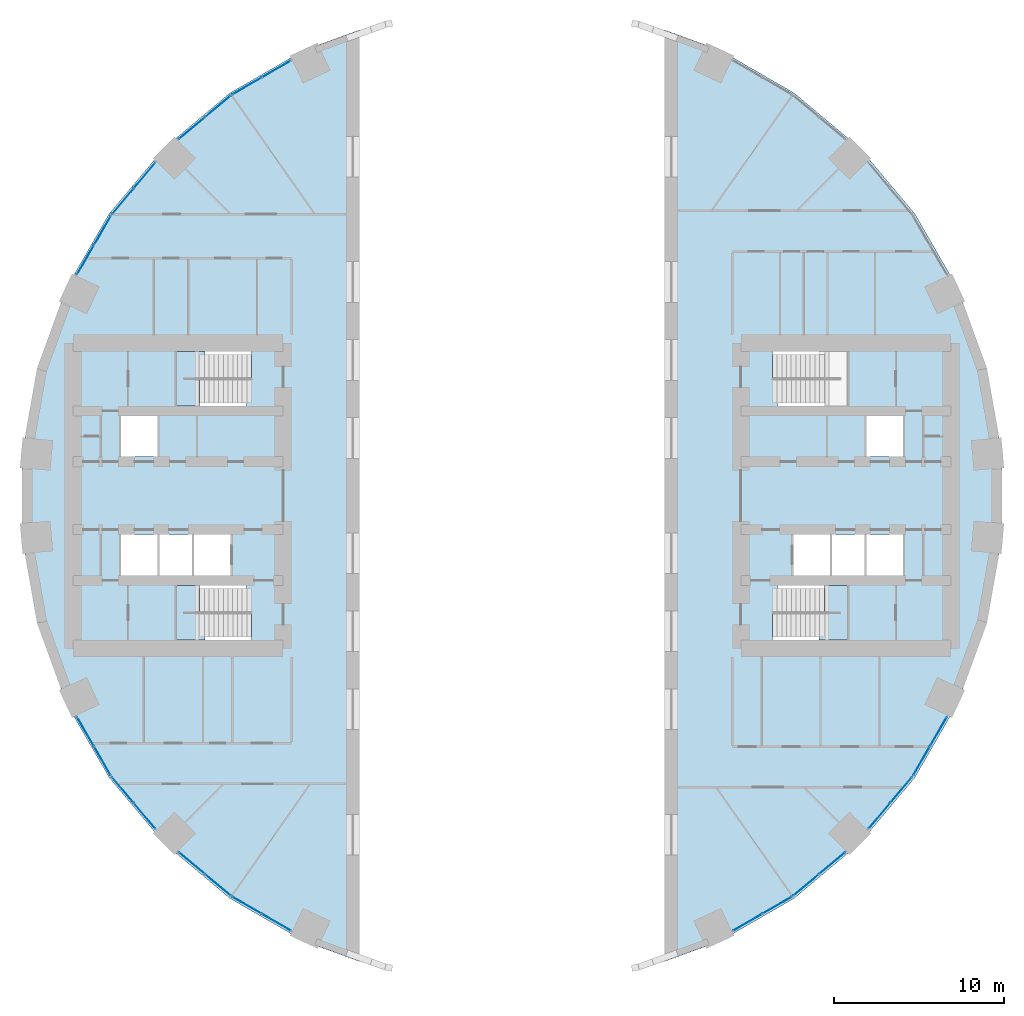
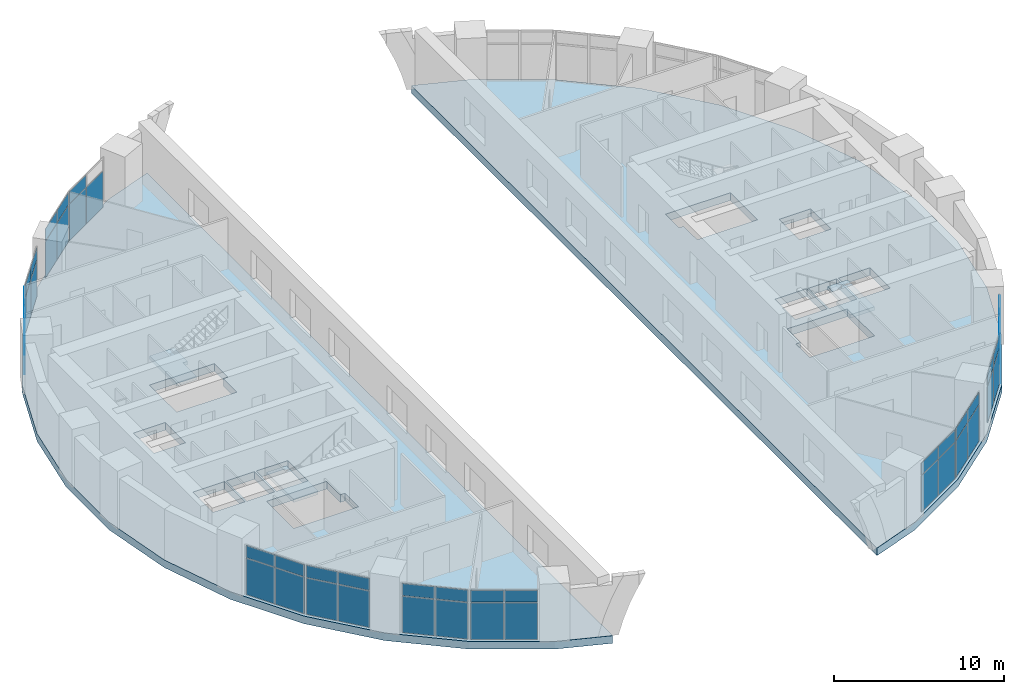
# One storey, part 6 of 13: 47 plates, 5 slabs, 15 elements without a shape of their own.
"""IFC4 building model written with IfcOpenShell, lengths in metres."""

from ifc_helpers import new_model, si_unit, direction, frame, origin, origin_2d, place, context, subcontext, project, spatial, polyline, rectangle, outline, extrude, material, layer, layer_set, type_object, element, aggregate, save


model = new_model("IFC4")

# Units and contexts
model_context = context("Model", 3, precision=1e-05, world=origin(), true_north=direction((0.0, 1.0)))
body_context = subcontext(model_context, "Body", "Model", "MODEL_VIEW")
ifc_project = project(units=[si_unit("LENGTHUNIT", "METRE"), si_unit("AREAUNIT", "SQUARE_METRE"), si_unit("VOLUMEUNIT", "CUBIC_METRE"), si_unit("PLANEANGLEUNIT", "RADIAN"), si_unit("MASSUNIT", "GRAM", prefix="KILO")], contexts=[model_context])

# Site, building, storey
site_placement = place(None, origin())
site = spatial("IfcSite", under=ifc_project, at=site_placement, CompositionType="ELEMENT")
building_placement = place(site_placement, origin())
building = spatial("IfcBuilding", under=site, at=building_placement, Name="Saqina Gate Tower", CompositionType="ELEMENT")
storey_placement = place(building_placement, frame((0.0, 0.0, 9.199951171875)))
storey = spatial("IfcBuildingStorey", under=building, at=storey_placement, Name="L02", CompositionType="ELEMENT", Elevation=9.199951171875)

# Curtain wall, plates
ifc_material_1 = material(Name="Aluminium glazing", Category="aluminium")
ifc_layer_1 = layer(ifc_material_1, 0.159912109375)
ifc_layer_set_1 = layer_set([ifc_layer_1], Name="CWT-1")
curtain_wall_type = type_object("IfcCurtainWallType", Name="CWT-1", PredefinedType="NOTDEFINED", material=ifc_layer_set_1)
curtain_wall_1_placement = place(storey_placement, origin())
curtain_wall_1 = element("IfcCurtainWall", 1, at=curtain_wall_1_placement, inside=storey, type_object=curtain_wall_type, Name="Podium shopfront facet 12", PredefinedType="NOTDEFINED")
ifc_material_2 = material(Name="Glass", Category="glass")
ifc_layer_2 = layer(ifc_material_2, 0.028076171875)
ifc_layer_set_2 = layer_set([ifc_layer_2], Name="CWT-1P")
plate_type = type_object("IfcPlateType", Name="CWT-1P", PredefinedType="CURTAIN_PANEL", material=ifc_layer_set_2)
plate_1_placement = place(storey_placement, frame((-13.90283203125, 25.158935546875, 0.06005859375), z_axis=(0.0, 0.0, 1.0), x_axis=(-0.866017381415, -0.500013894893, 0.0)))
plate_1 = element("IfcPlate", 2, at=plate_1_placement, type_object=plate_type, Name="CW1-12 panel 1.1", PredefinedType="CURTAIN_PANEL", context=body_context, shape_type="SweptSolid", body=[
    extrude(rectangle(XDim=1.944580078125, YDim=0.028076171875, at=origin_2d()), origin(), (0.0, 0.0, 1.0), 2.610107421875),
])
plate_2_placement = place(storey_placement, frame((-15.638671875, 24.15673828125, 0.06005859375), z_axis=(0.0, 0.0, 1.0), x_axis=(-0.866017381415, -0.500013894893, 0.0)))
plate_2 = element("IfcPlate", 3, at=plate_2_placement, type_object=plate_type, Name="CW1-12 panel 2.1", PredefinedType="CURTAIN_PANEL", context=body_context, shape_type="SweptSolid", body=[
    extrude(rectangle(XDim=1.944580078125, YDim=0.028076171875, at=origin_2d()), origin(), (0.0, 0.0, 1.0), 2.610107421875),
])
plate_3_placement = place(storey_placement, frame((-15.638671875, 24.15673828125, 2.72998046875), z_axis=(0.0, 0.0, 1.0), x_axis=(-0.866017381415, -0.500013894893, 0.0)))
plate_3 = element("IfcPlate", 4, at=plate_3_placement, type_object=plate_type, Name="CW1-12 panel 2.2", PredefinedType="CURTAIN_PANEL", context=body_context, shape_type="SweptSolid", body=[
    extrude(rectangle(XDim=1.944580078125, YDim=0.028076171875, at=origin_2d()), origin(), (0.0, 0.0, 1.0), 0.860107421875),
])
aggregate(curtain_wall_1, [plate_1, plate_2, plate_3])

curtain_wall_2_placement = place(storey_placement, origin())
curtain_wall_2 = element("IfcCurtainWall", 5, at=curtain_wall_2_placement, inside=storey, type_object=curtain_wall_type, Name="Podium shopfront facet 13", PredefinedType="NOTDEFINED")
plate_4_placement = place(storey_placement, frame((-17.35107421875, 22.957763671875, 0.06005859375), z_axis=(0.0, 0.0, 1.0), x_axis=(-0.766051396473, -0.642779322911, 0.0)))
plate_4 = element("IfcPlate", 6, at=plate_4_placement, type_object=plate_type, Name="CW1-13 panel 1.1", PredefinedType="CURTAIN_PANEL", context=body_context, shape_type="SweptSolid", body=[
    extrude(rectangle(XDim=1.944580078125, YDim=0.028076171875, at=origin_2d()), origin(), (0.0, 0.0, 1.0), 2.610107421875),
])
plate_5_placement = place(storey_placement, frame((-17.35107421875, 22.957763671875, 2.72998046875), z_axis=(0.0, 0.0, 1.0), x_axis=(-0.766051396473, -0.642779322911, 0.0)))
plate_5 = element("IfcPlate", 7, at=plate_5_placement, type_object=plate_type, Name="CW1-13 panel 1.2", PredefinedType="CURTAIN_PANEL", context=body_context, shape_type="SweptSolid", body=[
    extrude(rectangle(XDim=1.944580078125, YDim=0.028076171875, at=origin_2d()), origin(), (0.0, 0.0, 1.0), 0.860107421875),
])
plate_6_placement = place(storey_placement, frame((-18.88671875, 21.669189453125, 0.06005859375), z_axis=(0.0, 0.0, 1.0), x_axis=(-0.766051396473, -0.642779322911, 0.0)))
plate_6 = element("IfcPlate", 8, at=plate_6_placement, type_object=plate_type, Name="CW1-13 panel 2.1", PredefinedType="CURTAIN_PANEL", context=body_context, shape_type="SweptSolid", body=[
    extrude(rectangle(XDim=1.944580078125, YDim=0.028076171875, at=origin_2d()), origin(), (0.0, 0.0, 1.0), 2.610107421875),
])
plate_7_placement = place(storey_placement, frame((-18.88671875, 21.669189453125, 2.72998046875), z_axis=(0.0, 0.0, 1.0), x_axis=(-0.766051396473, -0.642779322911, 0.0)))
plate_7 = element("IfcPlate", 9, at=plate_7_placement, type_object=plate_type, Name="CW1-13 panel 2.2", PredefinedType="CURTAIN_PANEL", context=body_context, shape_type="SweptSolid", body=[
    extrude(rectangle(XDim=1.944580078125, YDim=0.028076171875, at=origin_2d()), origin(), (0.0, 0.0, 1.0), 0.860107421875),
])
aggregate(curtain_wall_2, [plate_4, plate_5, plate_6, plate_7])

curtain_wall_3_placement = place(storey_placement, origin())
curtain_wall_3 = element("IfcCurtainWall", 10, at=curtain_wall_3_placement, inside=storey, type_object=curtain_wall_type, Name="Podium shopfront facet 14", PredefinedType="NOTDEFINED")
plate_8_placement = place(storey_placement, frame((-21.669189453125, 18.88671875, 0.06005859375), z_axis=(0.0, 0.0, 1.0), x_axis=(-0.642779322911, -0.766051396473, 0.0)))
plate_8 = element("IfcPlate", 11, at=plate_8_placement, type_object=plate_type, Name="CW1-14 panel 1.1", PredefinedType="CURTAIN_PANEL", context=body_context, shape_type="SweptSolid", body=[
    extrude(rectangle(XDim=1.944580078125, YDim=0.028076171875, at=origin_2d()), origin(), (0.0, 0.0, 1.0), 2.610107421875),
])
plate_9_placement = place(storey_placement, frame((-21.669189453125, 18.88671875, 2.72998046875), z_axis=(0.0, 0.0, 1.0), x_axis=(-0.642779322911, -0.766051396473, 0.0)))
plate_9 = element("IfcPlate", 12, at=plate_9_placement, type_object=plate_type, Name="CW1-14 panel 1.2", PredefinedType="CURTAIN_PANEL", context=body_context, shape_type="SweptSolid", body=[
    extrude(rectangle(XDim=1.944580078125, YDim=0.028076171875, at=origin_2d()), origin(), (0.0, 0.0, 1.0), 0.860107421875),
])
plate_10_placement = place(storey_placement, frame((-22.957763671875, 17.35107421875, 0.06005859375), z_axis=(0.0, 0.0, 1.0), x_axis=(-0.642779322911, -0.766051396473, 0.0)))
plate_10 = element("IfcPlate", 13, at=plate_10_placement, type_object=plate_type, Name="CW1-14 panel 2.1", PredefinedType="CURTAIN_PANEL", context=body_context, shape_type="SweptSolid", body=[
    extrude(rectangle(XDim=1.944580078125, YDim=0.028076171875, at=origin_2d()), origin(), (0.0, 0.0, 1.0), 2.610107421875),
])
plate_11_placement = place(storey_placement, frame((-22.957763671875, 17.35107421875, 2.72998046875), z_axis=(0.0, 0.0, 1.0), x_axis=(-0.642779322911, -0.766051396473, 0.0)))
plate_11 = element("IfcPlate", 14, at=plate_11_placement, type_object=plate_type, Name="CW1-14 panel 2.2", PredefinedType="CURTAIN_PANEL", context=body_context, shape_type="SweptSolid", body=[
    extrude(rectangle(XDim=1.944580078125, YDim=0.028076171875, at=origin_2d()), origin(), (0.0, 0.0, 1.0), 0.860107421875),
])
aggregate(curtain_wall_3, [plate_8, plate_9, plate_10, plate_11])

curtain_wall_4_placement = place(storey_placement, origin())
curtain_wall_4 = element("IfcCurtainWall", 15, at=curtain_wall_4_placement, inside=storey, type_object=curtain_wall_type, Name="Podium shopfront facet 15", PredefinedType="NOTDEFINED")
plate_12_placement = place(storey_placement, frame((-24.15673828125, 15.638671875, 0.06005859375), z_axis=(0.0, 0.0, 1.0), x_axis=(-0.500013894893, -0.866017381415, 0.0)))
plate_12 = element("IfcPlate", 16, at=plate_12_placement, type_object=plate_type, Name="CW1-15 panel 1.1", PredefinedType="CURTAIN_PANEL", context=body_context, shape_type="SweptSolid", body=[
    extrude(rectangle(XDim=1.944580078125, YDim=0.028076171875, at=origin_2d()), origin(), (0.0, 0.0, 1.0), 2.610107421875),
])
plate_13_placement = place(storey_placement, frame((-24.15673828125, 15.638671875, 2.72998046875), z_axis=(0.0, 0.0, 1.0), x_axis=(-0.500013894893, -0.866017381415, 0.0)))
plate_13 = element("IfcPlate", 17, at=plate_13_placement, type_object=plate_type, Name="CW1-15 panel 1.2", PredefinedType="CURTAIN_PANEL", context=body_context, shape_type="SweptSolid", body=[
    extrude(rectangle(XDim=1.944580078125, YDim=0.028076171875, at=origin_2d()), origin(), (0.0, 0.0, 1.0), 0.860107421875),
])
plate_14_placement = place(storey_placement, frame((-25.158935546875, 13.90283203125, 0.06005859375), z_axis=(0.0, 0.0, 1.0), x_axis=(-0.500013894893, -0.866017381415, 0.0)))
plate_14 = element("IfcPlate", 18, at=plate_14_placement, type_object=plate_type, Name="CW1-15 panel 2.1", PredefinedType="CURTAIN_PANEL", context=body_context, shape_type="SweptSolid", body=[
    extrude(rectangle(XDim=1.944580078125, YDim=0.028076171875, at=origin_2d()), origin(), (0.0, 0.0, 1.0), 2.610107421875),
])
plate_15_placement = place(storey_placement, frame((-25.158935546875, 13.90283203125, 2.72998046875), z_axis=(0.0, 0.0, 1.0), x_axis=(-0.500013894893, -0.866017381415, 0.0)))
plate_15 = element("IfcPlate", 19, at=plate_15_placement, type_object=plate_type, Name="CW1-15 panel 2.2", PredefinedType="CURTAIN_PANEL", context=body_context, shape_type="SweptSolid", body=[
    extrude(rectangle(XDim=1.944580078125, YDim=0.028076171875, at=origin_2d()), origin(), (0.0, 0.0, 1.0), 0.860107421875),
])
aggregate(curtain_wall_4, [plate_12, plate_13, plate_14, plate_15])

curtain_wall_5_placement = place(storey_placement, origin())
curtain_wall_5 = element("IfcCurtainWall", 20, at=curtain_wall_5_placement, inside=storey, type_object=curtain_wall_type, Name="Podium shopfront facet 21", PredefinedType="NOTDEFINED")
plate_16_placement = place(storey_placement, frame((-25.158935546875, -13.90283203125, 0.06005859375), z_axis=(0.0, 0.0, 1.0), x_axis=(0.500013894893, -0.866017381415, 0.0)))
plate_16 = element("IfcPlate", 21, at=plate_16_placement, type_object=plate_type, Name="CW1-21 panel 1.1", PredefinedType="CURTAIN_PANEL", context=body_context, shape_type="SweptSolid", body=[
    extrude(rectangle(XDim=1.944580078125, YDim=0.028076171875, at=origin_2d()), origin(), (0.0, 0.0, 1.0), 2.610107421875),
])
plate_17_placement = place(storey_placement, frame((-25.158935546875, -13.90283203125, 2.72998046875), z_axis=(0.0, 0.0, 1.0), x_axis=(0.500013894893, -0.866017381415, 0.0)))
plate_17 = element("IfcPlate", 22, at=plate_17_placement, type_object=plate_type, Name="CW1-21 panel 1.2", PredefinedType="CURTAIN_PANEL", context=body_context, shape_type="SweptSolid", body=[
    extrude(rectangle(XDim=1.944580078125, YDim=0.028076171875, at=origin_2d()), origin(), (0.0, 0.0, 1.0), 0.860107421875),
])
plate_18_placement = place(storey_placement, frame((-24.15673828125, -15.638671875, 0.06005859375), z_axis=(0.0, 0.0, 1.0), x_axis=(0.500013894893, -0.866017381415, 0.0)))
plate_18 = element("IfcPlate", 23, at=plate_18_placement, type_object=plate_type, Name="CW1-21 panel 2.1", PredefinedType="CURTAIN_PANEL", context=body_context, shape_type="SweptSolid", body=[
    extrude(rectangle(XDim=1.944580078125, YDim=0.028076171875, at=origin_2d()), origin(), (0.0, 0.0, 1.0), 2.610107421875),
])
plate_19_placement = place(storey_placement, frame((-24.15673828125, -15.638671875, 2.72998046875), z_axis=(0.0, 0.0, 1.0), x_axis=(0.500013894893, -0.866017381415, 0.0)))
plate_19 = element("IfcPlate", 24, at=plate_19_placement, type_object=plate_type, Name="CW1-21 panel 2.2", PredefinedType="CURTAIN_PANEL", context=body_context, shape_type="SweptSolid", body=[
    extrude(rectangle(XDim=1.944580078125, YDim=0.028076171875, at=origin_2d()), origin(), (0.0, 0.0, 1.0), 0.860107421875),
])
aggregate(curtain_wall_5, [plate_16, plate_17, plate_18, plate_19])

curtain_wall_6_placement = place(storey_placement, origin())
curtain_wall_6 = element("IfcCurtainWall", 25, at=curtain_wall_6_placement, inside=storey, type_object=curtain_wall_type, Name="Podium shopfront facet 22", PredefinedType="NOTDEFINED")
plate_20_placement = place(storey_placement, frame((-22.957763671875, -17.35107421875, 0.06005859375), z_axis=(0.0, 0.0, 1.0), x_axis=(0.642779322911, -0.766051396473, 0.0)))
plate_20 = element("IfcPlate", 26, at=plate_20_placement, type_object=plate_type, Name="CW1-22 panel 1.1", PredefinedType="CURTAIN_PANEL", context=body_context, shape_type="SweptSolid", body=[
    extrude(rectangle(XDim=1.944580078125, YDim=0.028076171875, at=origin_2d()), origin(), (0.0, 0.0, 1.0), 2.610107421875),
])
plate_21_placement = place(storey_placement, frame((-22.957763671875, -17.35107421875, 2.72998046875), z_axis=(0.0, 0.0, 1.0), x_axis=(0.642779322911, -0.766051396473, 0.0)))
plate_21 = element("IfcPlate", 27, at=plate_21_placement, type_object=plate_type, Name="CW1-22 panel 1.2", PredefinedType="CURTAIN_PANEL", context=body_context, shape_type="SweptSolid", body=[
    extrude(rectangle(XDim=1.944580078125, YDim=0.028076171875, at=origin_2d()), origin(), (0.0, 0.0, 1.0), 0.860107421875),
])
plate_22_placement = place(storey_placement, frame((-21.669189453125, -18.88671875, 0.06005859375), z_axis=(0.0, 0.0, 1.0), x_axis=(0.642779322911, -0.766051396473, 0.0)))
plate_22 = element("IfcPlate", 28, at=plate_22_placement, type_object=plate_type, Name="CW1-22 panel 2.1", PredefinedType="CURTAIN_PANEL", context=body_context, shape_type="SweptSolid", body=[
    extrude(rectangle(XDim=1.944580078125, YDim=0.028076171875, at=origin_2d()), origin(), (0.0, 0.0, 1.0), 2.610107421875),
])
plate_23_placement = place(storey_placement, frame((-21.669189453125, -18.88671875, 2.72998046875), z_axis=(0.0, 0.0, 1.0), x_axis=(0.642779322911, -0.766051396473, 0.0)))
plate_23 = element("IfcPlate", 29, at=plate_23_placement, type_object=plate_type, Name="CW1-22 panel 2.2", PredefinedType="CURTAIN_PANEL", context=body_context, shape_type="SweptSolid", body=[
    extrude(rectangle(XDim=1.944580078125, YDim=0.028076171875, at=origin_2d()), origin(), (0.0, 0.0, 1.0), 0.860107421875),
])
aggregate(curtain_wall_6, [plate_20, plate_21, plate_22, plate_23])

curtain_wall_7_placement = place(storey_placement, origin())
curtain_wall_7 = element("IfcCurtainWall", 30, at=curtain_wall_7_placement, inside=storey, type_object=curtain_wall_type, Name="Podium shopfront facet 23", PredefinedType="NOTDEFINED")
plate_24_placement = place(storey_placement, frame((-18.88671875, -21.669189453125, 0.06005859375), z_axis=(0.0, 0.0, 1.0), x_axis=(0.766051396473, -0.642779322911, 0.0)))
plate_24 = element("IfcPlate", 31, at=plate_24_placement, type_object=plate_type, Name="CW1-23 panel 1.1", PredefinedType="CURTAIN_PANEL", context=body_context, shape_type="SweptSolid", body=[
    extrude(rectangle(XDim=1.944580078125, YDim=0.028076171875, at=origin_2d()), origin(), (0.0, 0.0, 1.0), 2.610107421875),
])
plate_25_placement = place(storey_placement, frame((-18.88671875, -21.669189453125, 2.72998046875), z_axis=(0.0, 0.0, 1.0), x_axis=(0.766051396473, -0.642779322911, 0.0)))
plate_25 = element("IfcPlate", 32, at=plate_25_placement, type_object=plate_type, Name="CW1-23 panel 1.2", PredefinedType="CURTAIN_PANEL", context=body_context, shape_type="SweptSolid", body=[
    extrude(rectangle(XDim=1.944580078125, YDim=0.028076171875, at=origin_2d()), origin(), (0.0, 0.0, 1.0), 0.860107421875),
])
plate_26_placement = place(storey_placement, frame((-17.35107421875, -22.957763671875, 0.06005859375), z_axis=(0.0, 0.0, 1.0), x_axis=(0.766051396473, -0.642779322911, 0.0)))
plate_26 = element("IfcPlate", 33, at=plate_26_placement, type_object=plate_type, Name="CW1-23 panel 2.1", PredefinedType="CURTAIN_PANEL", context=body_context, shape_type="SweptSolid", body=[
    extrude(rectangle(XDim=1.944580078125, YDim=0.028076171875, at=origin_2d()), origin(), (0.0, 0.0, 1.0), 2.610107421875),
])
plate_27_placement = place(storey_placement, frame((-17.35107421875, -22.957763671875, 2.72998046875), z_axis=(0.0, 0.0, 1.0), x_axis=(0.766051396473, -0.642779322911, 0.0)))
plate_27 = element("IfcPlate", 34, at=plate_27_placement, type_object=plate_type, Name="CW1-23 panel 2.2", PredefinedType="CURTAIN_PANEL", context=body_context, shape_type="SweptSolid", body=[
    extrude(rectangle(XDim=1.944580078125, YDim=0.028076171875, at=origin_2d()), origin(), (0.0, 0.0, 1.0), 0.860107421875),
])
aggregate(curtain_wall_7, [plate_24, plate_25, plate_26, plate_27])

curtain_wall_8_placement = place(storey_placement, origin())
curtain_wall_8 = element("IfcCurtainWall", 35, at=curtain_wall_8_placement, inside=storey, type_object=curtain_wall_type, Name="Podium shopfront facet 24", PredefinedType="NOTDEFINED")
plate_28_placement = place(storey_placement, frame((-15.638671875, -24.15673828125, 0.06005859375), z_axis=(0.0, 0.0, 1.0), x_axis=(0.866017381415, -0.500013894893, 0.0)))
plate_28 = element("IfcPlate", 36, at=plate_28_placement, type_object=plate_type, Name="CW1-24 panel 1.1", PredefinedType="CURTAIN_PANEL", context=body_context, shape_type="SweptSolid", body=[
    extrude(rectangle(XDim=1.944580078125, YDim=0.028076171875, at=origin_2d()), origin(), (0.0, 0.0, 1.0), 2.610107421875),
])
plate_29_placement = place(storey_placement, frame((-15.638671875, -24.15673828125, 2.72998046875), z_axis=(0.0, 0.0, 1.0), x_axis=(0.866017381415, -0.500013894893, 0.0)))
plate_29 = element("IfcPlate", 37, at=plate_29_placement, type_object=plate_type, Name="CW1-24 panel 1.2", PredefinedType="CURTAIN_PANEL", context=body_context, shape_type="SweptSolid", body=[
    extrude(rectangle(XDim=1.944580078125, YDim=0.028076171875, at=origin_2d()), origin(), (0.0, 0.0, 1.0), 0.860107421875),
])
plate_30_placement = place(storey_placement, frame((-13.90283203125, -25.158935546875, 0.06005859375), z_axis=(0.0, 0.0, 1.0), x_axis=(0.866017381415, -0.500013894893, 0.0)))
plate_30 = element("IfcPlate", 38, at=plate_30_placement, type_object=plate_type, Name="CW1-24 panel 2.1", PredefinedType="CURTAIN_PANEL", context=body_context, shape_type="SweptSolid", body=[
    extrude(rectangle(XDim=1.944580078125, YDim=0.028076171875, at=origin_2d()), origin(), (0.0, 0.0, 1.0), 2.610107421875),
])
plate_31_placement = place(storey_placement, frame((-13.90283203125, -25.158935546875, 2.72998046875), z_axis=(0.0, 0.0, 1.0), x_axis=(0.866017381415, -0.500013894893, 0.0)))
plate_31 = element("IfcPlate", 39, at=plate_31_placement, type_object=plate_type, Name="CW1-24 panel 2.2", PredefinedType="CURTAIN_PANEL", context=body_context, shape_type="SweptSolid", body=[
    extrude(rectangle(XDim=1.944580078125, YDim=0.028076171875, at=origin_2d()), origin(), (0.0, 0.0, 1.0), 0.860107421875),
])
aggregate(curtain_wall_8, [plate_28, plate_29, plate_30, plate_31])

curtain_wall_9_placement = place(storey_placement, origin())
curtain_wall_9 = element("IfcCurtainWall", 40, at=curtain_wall_9_placement, inside=storey, type_object=curtain_wall_type, Name="Podium shopfront facet 30", PredefinedType="NOTDEFINED")
plate_32_placement = place(storey_placement, frame((13.90283203125, -25.158935546875, 0.06005859375), z_axis=(0.0, 0.0, 1.0), x_axis=(0.866017381415, 0.500013894893, 0.0)))
plate_32 = element("IfcPlate", 41, at=plate_32_placement, type_object=plate_type, Name="CW1-30 panel 1.1", PredefinedType="CURTAIN_PANEL", context=body_context, shape_type="SweptSolid", body=[
    extrude(rectangle(XDim=1.944580078125, YDim=0.028076171875, at=origin_2d()), origin(), (0.0, 0.0, 1.0), 2.610107421875),
])
plate_33_placement = place(storey_placement, frame((13.90283203125, -25.158935546875, 2.72998046875), z_axis=(0.0, 0.0, 1.0), x_axis=(0.866017381415, 0.500013894893, 0.0)))
plate_33 = element("IfcPlate", 42, at=plate_33_placement, type_object=plate_type, Name="CW1-30 panel 1.2", PredefinedType="CURTAIN_PANEL", context=body_context, shape_type="SweptSolid", body=[
    extrude(rectangle(XDim=1.944580078125, YDim=0.028076171875, at=origin_2d()), origin(), (0.0, 0.0, 1.0), 0.860107421875),
])
plate_34_placement = place(storey_placement, frame((15.638671875, -24.15673828125, 0.06005859375), z_axis=(0.0, 0.0, 1.0), x_axis=(0.866017381415, 0.500013894893, 0.0)))
plate_34 = element("IfcPlate", 43, at=plate_34_placement, type_object=plate_type, Name="CW1-30 panel 2.1", PredefinedType="CURTAIN_PANEL", context=body_context, shape_type="SweptSolid", body=[
    extrude(rectangle(XDim=1.944580078125, YDim=0.028076171875, at=origin_2d()), origin(), (0.0, 0.0, 1.0), 2.610107421875),
])
plate_35_placement = place(storey_placement, frame((15.638671875, -24.15673828125, 2.72998046875), z_axis=(0.0, 0.0, 1.0), x_axis=(0.866017381415, 0.500013894893, 0.0)))
plate_35 = element("IfcPlate", 44, at=plate_35_placement, type_object=plate_type, Name="CW1-30 panel 2.2", PredefinedType="CURTAIN_PANEL", context=body_context, shape_type="SweptSolid", body=[
    extrude(rectangle(XDim=1.944580078125, YDim=0.028076171875, at=origin_2d()), origin(), (0.0, 0.0, 1.0), 0.860107421875),
])
aggregate(curtain_wall_9, [plate_32, plate_33, plate_34, plate_35])

curtain_wall_10_placement = place(storey_placement, origin())
curtain_wall_10 = element("IfcCurtainWall", 45, at=curtain_wall_10_placement, inside=storey, type_object=curtain_wall_type, Name="Podium shopfront facet 31", PredefinedType="NOTDEFINED")
plate_36_placement = place(storey_placement, frame((17.35107421875, -22.957763671875, 0.06005859375), z_axis=(0.0, 0.0, 1.0), x_axis=(0.766051396473, 0.642779322911, 0.0)))
plate_36 = element("IfcPlate", 46, at=plate_36_placement, type_object=plate_type, Name="CW1-31 panel 1.1", PredefinedType="CURTAIN_PANEL", context=body_context, shape_type="SweptSolid", body=[
    extrude(rectangle(XDim=1.944580078125, YDim=0.028076171875, at=origin_2d()), origin(), (0.0, 0.0, 1.0), 2.610107421875),
])
plate_37_placement = place(storey_placement, frame((17.35107421875, -22.957763671875, 2.72998046875), z_axis=(0.0, 0.0, 1.0), x_axis=(0.766051396473, 0.642779322911, 0.0)))
plate_37 = element("IfcPlate", 47, at=plate_37_placement, type_object=plate_type, Name="CW1-31 panel 1.2", PredefinedType="CURTAIN_PANEL", context=body_context, shape_type="SweptSolid", body=[
    extrude(rectangle(XDim=1.944580078125, YDim=0.028076171875, at=origin_2d()), origin(), (0.0, 0.0, 1.0), 0.860107421875),
])
plate_38_placement = place(storey_placement, frame((18.88671875, -21.669189453125, 0.06005859375), z_axis=(0.0, 0.0, 1.0), x_axis=(0.766051396473, 0.642779322911, 0.0)))
plate_38 = element("IfcPlate", 48, at=plate_38_placement, type_object=plate_type, Name="CW1-31 panel 2.1", PredefinedType="CURTAIN_PANEL", context=body_context, shape_type="SweptSolid", body=[
    extrude(rectangle(XDim=1.944580078125, YDim=0.028076171875, at=origin_2d()), origin(), (0.0, 0.0, 1.0), 2.610107421875),
])
plate_39_placement = place(storey_placement, frame((18.88671875, -21.669189453125, 2.72998046875), z_axis=(0.0, 0.0, 1.0), x_axis=(0.766051396473, 0.642779322911, 0.0)))
plate_39 = element("IfcPlate", 49, at=plate_39_placement, type_object=plate_type, Name="CW1-31 panel 2.2", PredefinedType="CURTAIN_PANEL", context=body_context, shape_type="SweptSolid", body=[
    extrude(rectangle(XDim=1.944580078125, YDim=0.028076171875, at=origin_2d()), origin(), (0.0, 0.0, 1.0), 0.860107421875),
])
aggregate(curtain_wall_10, [plate_36, plate_37, plate_38, plate_39])

curtain_wall_11_placement = place(storey_placement, origin())
curtain_wall_11 = element("IfcCurtainWall", 50, at=curtain_wall_11_placement, inside=storey, type_object=curtain_wall_type, Name="Podium shopfront facet 32", PredefinedType="NOTDEFINED")
plate_40_placement = place(storey_placement, frame((21.669189453125, -18.88671875, 0.06005859375), z_axis=(0.0, 0.0, 1.0), x_axis=(0.642779322911, 0.766051396473, 0.0)))
plate_40 = element("IfcPlate", 51, at=plate_40_placement, type_object=plate_type, Name="CW1-32 panel 1.1", PredefinedType="CURTAIN_PANEL", context=body_context, shape_type="SweptSolid", body=[
    extrude(rectangle(XDim=1.944580078125, YDim=0.028076171875, at=origin_2d()), origin(), (0.0, 0.0, 1.0), 2.610107421875),
])
plate_41_placement = place(storey_placement, frame((21.669189453125, -18.88671875, 2.72998046875), z_axis=(0.0, 0.0, 1.0), x_axis=(0.642779322911, 0.766051396473, 0.0)))
plate_41 = element("IfcPlate", 52, at=plate_41_placement, type_object=plate_type, Name="CW1-32 panel 1.2", PredefinedType="CURTAIN_PANEL", context=body_context, shape_type="SweptSolid", body=[
    extrude(rectangle(XDim=1.944580078125, YDim=0.028076171875, at=origin_2d()), origin(), (0.0, 0.0, 1.0), 0.860107421875),
])
plate_42_placement = place(storey_placement, frame((22.957763671875, -17.35107421875, 0.06005859375), z_axis=(0.0, 0.0, 1.0), x_axis=(0.642779322911, 0.766051396473, 0.0)))
plate_42 = element("IfcPlate", 53, at=plate_42_placement, type_object=plate_type, Name="CW1-32 panel 2.1", PredefinedType="CURTAIN_PANEL", context=body_context, shape_type="SweptSolid", body=[
    extrude(rectangle(XDim=1.944580078125, YDim=0.028076171875, at=origin_2d()), origin(), (0.0, 0.0, 1.0), 2.610107421875),
])
plate_43_placement = place(storey_placement, frame((22.957763671875, -17.35107421875, 2.72998046875), z_axis=(0.0, 0.0, 1.0), x_axis=(0.642779322911, 0.766051396473, 0.0)))
plate_43 = element("IfcPlate", 54, at=plate_43_placement, type_object=plate_type, Name="CW1-32 panel 2.2", PredefinedType="CURTAIN_PANEL", context=body_context, shape_type="SweptSolid", body=[
    extrude(rectangle(XDim=1.944580078125, YDim=0.028076171875, at=origin_2d()), origin(), (0.0, 0.0, 1.0), 0.860107421875),
])
aggregate(curtain_wall_11, [plate_40, plate_41, plate_42, plate_43])

curtain_wall_12_placement = place(storey_placement, origin())
curtain_wall_12 = element("IfcCurtainWall", 55, at=curtain_wall_12_placement, inside=storey, type_object=curtain_wall_type, Name="Podium shopfront facet 33", PredefinedType="NOTDEFINED")
plate_44_placement = place(storey_placement, frame((24.15673828125, -15.638671875, 0.06005859375), z_axis=(0.0, 0.0, 1.0), x_axis=(0.500013894893, 0.866017381415, 0.0)))
plate_44 = element("IfcPlate", 56, at=plate_44_placement, type_object=plate_type, Name="CW1-33 panel 1.1", PredefinedType="CURTAIN_PANEL", context=body_context, shape_type="SweptSolid", body=[
    extrude(rectangle(XDim=1.944580078125, YDim=0.028076171875, at=origin_2d()), origin(), (0.0, 0.0, 1.0), 2.610107421875),
])
plate_45_placement = place(storey_placement, frame((24.15673828125, -15.638671875, 2.72998046875), z_axis=(0.0, 0.0, 1.0), x_axis=(0.500013894893, 0.866017381415, 0.0)))
plate_45 = element("IfcPlate", 57, at=plate_45_placement, type_object=plate_type, Name="CW1-33 panel 1.2", PredefinedType="CURTAIN_PANEL", context=body_context, shape_type="SweptSolid", body=[
    extrude(rectangle(XDim=1.944580078125, YDim=0.028076171875, at=origin_2d()), origin(), (0.0, 0.0, 1.0), 0.860107421875),
])
plate_46_placement = place(storey_placement, frame((25.158935546875, -13.90283203125, 0.06005859375), z_axis=(0.0, 0.0, 1.0), x_axis=(0.500013894893, 0.866017381415, 0.0)))
plate_46 = element("IfcPlate", 58, at=plate_46_placement, type_object=plate_type, Name="CW1-33 panel 2.1", PredefinedType="CURTAIN_PANEL", context=body_context, shape_type="SweptSolid", body=[
    extrude(rectangle(XDim=1.944580078125, YDim=0.028076171875, at=origin_2d()), origin(), (0.0, 0.0, 1.0), 2.610107421875),
])
plate_47_placement = place(storey_placement, frame((25.158935546875, -13.90283203125, 2.72998046875), z_axis=(0.0, 0.0, 1.0), x_axis=(0.500013894893, 0.866017381415, 0.0)))
plate_47 = element("IfcPlate", 59, at=plate_47_placement, type_object=plate_type, Name="CW1-33 panel 2.2", PredefinedType="CURTAIN_PANEL", context=body_context, shape_type="SweptSolid", body=[
    extrude(rectangle(XDim=1.944580078125, YDim=0.028076171875, at=origin_2d()), origin(), (0.0, 0.0, 1.0), 0.860107421875),
])
aggregate(curtain_wall_12, [plate_44, plate_45, plate_46, plate_47])

# Stair, slab
ifc_material_3 = material(Name="Concrete C40/50", Category="concrete")
stair_type = type_object("IfcStairType", Name="EXIT STAIR", PredefinedType="HALF_TURN_STAIR", material=ifc_material_3)
stair_1_placement = place(storey_placement, origin())
stair_1 = element("IfcStair", 60, at=stair_1_placement, inside=storey, type_object=stair_type, Name="EXIT STAIR 2", PredefinedType="HALF_TURN_STAIR")
ifc_material_4 = material(Name="Concrete C40/50", Category="concrete")
ifc_layer_3 = layer(ifc_material_4, 0.25)
ifc_layer_set_3 = layer_set([ifc_layer_3], Name="Concrete C40/50")
slab_type_1 = type_object("IfcSlabType", Name="EXIT STAIR LANDING", PredefinedType="LANDING", material=ifc_layer_set_3)
slab_1_placement = place(storey_placement, frame((0.0, 0.0, 1.85009765625)))
slab_1 = element("IfcSlab", 61, at=slab_1_placement, type_object=slab_type_1, Name="EXIT STAIR 2 LANDING 1", PredefinedType="LANDING", context=body_context, shape_type="SweptSolid", body=[
    extrude(outline(polyline([(18.10693359375, -8.5), (18.10693359375, -6.89990234375), (18.425048828125, -6.89990234375), (18.425048828125, -5.300048828125), (19.780029296875, -5.300048828125), (19.780029296875, -8.5), (18.429931640625, -8.5), (18.425048828125, -8.5), (18.10693359375, -8.5)])), origin(), (0.0, 0.0, 1.0), 0.25),
])
aggregate(stair_1, [slab_1])

stair_2_placement = place(storey_placement, origin())
stair_2 = element("IfcStair", 62, at=stair_2_placement, inside=storey, type_object=stair_type, Name="EXIT STAIR 3", PredefinedType="HALF_TURN_STAIR")
slab_2_placement = place(storey_placement, frame((0.0, 0.0, 1.85009765625)))
slab_2 = element("IfcSlab", 63, at=slab_2_placement, type_object=slab_type_1, Name="EXIT STAIR 3 LANDING 1", PredefinedType="LANDING", context=body_context, shape_type="SweptSolid", body=[
    extrude(outline(polyline([(-18.425048828125, 5.300048828125), (-19.780029296875, 5.300048828125), (-19.780029296875, 8.5), (-18.429931640625, 8.5), (-18.425048828125, 8.5), (-18.10693359375, 8.5), (-18.10693359375, 6.89990234375), (-18.425048828125, 6.89990234375), (-18.425048828125, 5.300048828125)])), origin(), (0.0, 0.0, 1.0), 0.25),
])
aggregate(stair_2, [slab_2])

stair_3_placement = place(storey_placement, origin())
stair_3 = element("IfcStair", 64, at=stair_3_placement, inside=storey, type_object=stair_type, Name="EXIT STAIR 4", PredefinedType="HALF_TURN_STAIR")
slab_3_placement = place(storey_placement, frame((0.0, 0.0, 1.85009765625)))
slab_3 = element("IfcSlab", 65, at=slab_3_placement, type_object=slab_type_1, Name="EXIT STAIR 4 LANDING 1", PredefinedType="LANDING", context=body_context, shape_type="SweptSolid", body=[
    extrude(outline(polyline([(-18.10693359375, -6.89990234375), (-18.10693359375, -8.5), (-18.425048828125, -8.5), (-18.429931640625, -8.5), (-19.780029296875, -8.5), (-19.780029296875, -5.300048828125), (-18.425048828125, -5.300048828125), (-18.425048828125, -6.89990234375), (-18.10693359375, -6.89990234375)])), origin(), (0.0, 0.0, 1.0), 0.25),
])
aggregate(stair_3, [slab_3])

# Slabs
ifc_material_5 = material(Name="Concrete C40/50", Category="concrete")
ifc_layer_4 = layer(ifc_material_5, 0.550048828125)
ifc_layer_set_4 = layer_set([ifc_layer_4], Name="Concrete C40/50")
slab_type_2 = type_object("IfcSlabType", Name="STR-POST-TENSIONED FLAT PLATE FLOOR-550", PredefinedType="FLOOR", material=ifc_layer_set_4)
slab_4_placement = place(storey_placement, frame((0.0, 0.0, -0.550048828125)))
element("IfcSlab", 66, at=slab_4_placement, inside=storey, type_object=slab_type_2, Name="L02-SLB01", PredefinedType="FLOOR", context=body_context, shape_type="SweptSolid", body=[
    extrude(outline(polyline([(-16.6337890625, -23.75537109375), (-12.255859375, -26.282958984375), (-9.0, -27.468017578125), (-9.0, 27.468017578125), (-12.255859375, 26.282958984375), (-16.6337890625, 23.75537109375), (-20.506103515625, 20.506103515625), (-23.75537109375, 16.6337890625), (-26.282958984375, 12.255859375), (-28.011962890625, 7.505859375), (-28.8896484375, 2.527587890625), (-28.8896484375, -2.527587890625), (-28.011962890625, -7.505859375), (-26.282958984375, -12.255859375), (-23.75537109375, -16.6337890625), (-20.506103515625, -20.506103515625), (-16.6337890625, -23.75537109375)]), holes=[polyline([(-19.780029296875, -8.5), (-19.780029296875, -6.89990234375), (-19.780029296875, -5.300048828125), (-15.673095703125, -5.300048828125), (-15.673095703125, -6.89990234375), (-15.35498046875, -6.89990234375), (-15.35498046875, -8.5), (-19.780029296875, -8.5)]), polyline([(-20.89990234375, -2.300048828125), (-20.89990234375, -4.699951171875), (-23.06005859375, -4.699951171875), (-23.06005859375, -2.300048828125), (-20.89990234375, -2.300048828125)]), polyline([(-18.8701171875, -2.300048828125), (-18.8701171875, -4.699951171875), (-20.780029296875, -4.699951171875), (-20.780029296875, -2.300048828125), (-18.8701171875, -2.300048828125)]), polyline([(-16.590087890625, -2.300048828125), (-16.590087890625, -4.699951171875), (-18.75, -4.699951171875), (-18.75, -2.300048828125), (-16.590087890625, -2.300048828125)]), polyline([(-20.89990234375, 4.699951171875), (-20.89990234375, 2.300048828125), (-23.06005859375, 2.300048828125), (-23.06005859375, 4.699951171875), (-20.89990234375, 4.699951171875)]), polyline([(-19.780029296875, 6.89990234375), (-19.780029296875, 8.5), (-15.35498046875, 8.5), (-15.35498046875, 6.89990234375), (-15.673095703125, 6.89990234375), (-15.673095703125, 5.300048828125), (-19.780029296875, 5.300048828125), (-19.780029296875, 6.89990234375)])]), origin(), (0.0, 0.0, 1.0), 0.550048828125),
])
slab_5_placement = place(storey_placement, frame((0.0, 0.0, -0.550048828125)))
element("IfcSlab", 67, at=slab_5_placement, inside=storey, type_object=slab_type_2, Name="L02-SLB02", PredefinedType="FLOOR", context=body_context, shape_type="SweptSolid", body=[
    extrude(outline(polyline([(26.282958984375, -12.255859375), (28.011962890625, -7.505859375), (28.8896484375, -2.527587890625), (28.8896484375, 2.527587890625), (28.011962890625, 7.505859375), (26.282958984375, 12.255859375), (23.75537109375, 16.6337890625), (20.506103515625, 20.506103515625), (16.6337890625, 23.75537109375), (12.255859375, 26.282958984375), (9.0, 27.468017578125), (9.0, -27.468017578125), (12.255859375, -26.282958984375), (16.6337890625, -23.75537109375), (20.506103515625, -20.506103515625), (23.75537109375, -16.6337890625), (26.282958984375, -12.255859375)]), holes=[polyline([(15.35498046875, -6.89990234375), (15.673095703125, -6.89990234375), (15.673095703125, -5.300048828125), (19.780029296875, -5.300048828125), (19.780029296875, -6.89990234375), (19.780029296875, -8.5), (15.35498046875, -8.5), (15.35498046875, -6.89990234375)]), polyline([(18.75, -2.300048828125), (18.75, -4.699951171875), (16.590087890625, -4.699951171875), (16.590087890625, -2.300048828125), (18.75, -2.300048828125)]), polyline([(20.780029296875, -2.300048828125), (20.780029296875, -4.699951171875), (18.8701171875, -4.699951171875), (18.8701171875, -2.300048828125), (20.780029296875, -2.300048828125)]), polyline([(23.06005859375, -2.300048828125), (23.06005859375, -4.699951171875), (20.89990234375, -4.699951171875), (20.89990234375, -2.300048828125), (23.06005859375, -2.300048828125)]), polyline([(23.06005859375, 4.699951171875), (23.06005859375, 2.300048828125), (20.89990234375, 2.300048828125), (20.89990234375, 4.699951171875), (23.06005859375, 4.699951171875)]), polyline([(15.673095703125, 6.89990234375), (15.35498046875, 6.89990234375), (15.35498046875, 8.5), (19.780029296875, 8.5), (19.780029296875, 6.89990234375), (19.780029296875, 5.300048828125), (15.673095703125, 5.300048828125), (15.673095703125, 6.89990234375)])]), origin(), (0.0, 0.0, 1.0), 0.550048828125),
])

save(model, "model.ifc")
